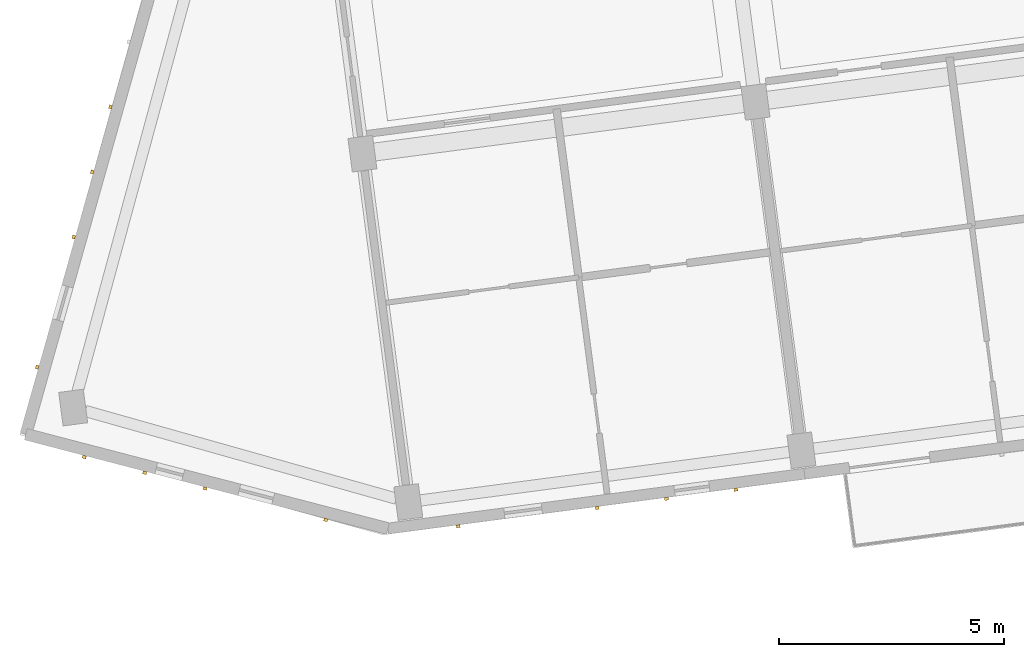
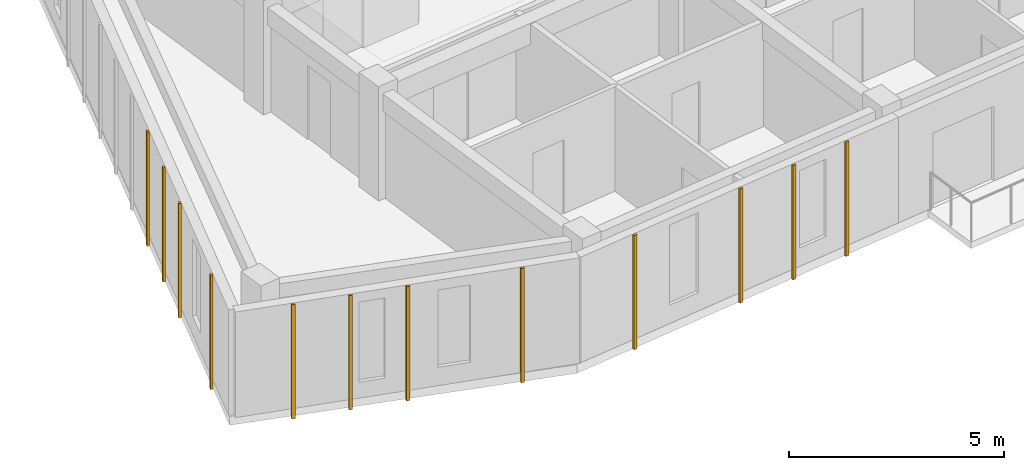
# One storey, part 43 of 68: 12 coverings.
"""IFC4 building model written with IfcOpenShell, lengths in metres."""

import ifcopenshell
import ifcopenshell.guid

model = None  # the IFC model being written
_history = None  # IfcOwnerHistory: only IFC2X3 demands one
_inside = {}  # id of a spatial element -> (the spatial element, [elements in it])
_under = {}  # id of a project, library or spatial element -> (it, [spatial elements below it])
_declared = {}  # id of a project -> (the project, [libraries it declares])
_typed = {}  # id of a type object -> (the type object, [elements of that type])
_made_of = {}  # id of a material, layer set ... -> (it, [elements and type objects made of it])


def new_model(schema):
    """Start an empty IFC model of exactly this schema.

    Asked for "IFC4X3", IfcOpenShell would pick the latest addendum, in which some entities
    have other attributes; the version numbers below select the first issue.
    IFC2X3 requires an IfcOwnerHistory on every rooted entity: one is made here for all.
    """
    global model, _history
    if schema == "IFC4X3":
        model = ifcopenshell.file(schema_version=(4, 3, 0, 0))
    else:
        model = ifcopenshell.file(schema=schema)
    _inside.clear()
    _under.clear()
    _declared.clear()
    _typed.clear()
    _made_of.clear()
    _history = None
    if model.schema == "IFC2X3":
        org = make("IfcOrganization", Name="unknown")
        user = make(
            "IfcPersonAndOrganization",
            ThePerson=make("IfcPerson", FamilyName="unknown"),
            TheOrganization=org,
        )
        app = make(
            "IfcApplication",
            ApplicationDeveloper=org,
            Version="unknown",
            ApplicationFullName="unknown",
            ApplicationIdentifier="unknown",
        )
        _history = make(
            "IfcOwnerHistory",
            OwningUser=user,
            OwningApplication=app,
            ChangeAction="ADDED",
            CreationDate=0,
        )
    return model


def make(cls, **values):
    """One entity of the class cls with the attributes given. An attribute that is None is left unset."""
    return model.create_entity(
        cls, **{name: value for name, value in values.items() if value is not None}
    )


def rooted(cls, **values):
    """An entity with a GlobalId (a new one), such as an element, a storey or a relation."""
    return make(cls, GlobalId=ifcopenshell.guid.new(), OwnerHistory=_history, **values)


def si_unit(unit_type, name, prefix=None):
    """IfcSIUnit, for example si_unit("LENGTHUNIT", "METRE", prefix="MILLI")."""
    return make("IfcSIUnit", UnitType=unit_type, Prefix=prefix, Name=name)


def assignment(units):
    """IfcUnitAssignment: the units of a project."""
    return None if units is None else make("IfcUnitAssignment", Units=units)


def point(xyz):
    """IfcCartesianPoint."""
    return None if xyz is None else make("IfcCartesianPoint", Coordinates=xyz)


def direction(xyz):
    """IfcDirection."""
    return None if xyz is None else make("IfcDirection", DirectionRatios=xyz)


def frame(location, z_axis=None, x_axis=None):
    """IfcAxis2Placement3D, a coordinate frame: its origin and axes. An axis left out is left unset."""
    return make(
        "IfcAxis2Placement3D",
        Location=point(location),
        Axis=direction(z_axis),
        RefDirection=direction(x_axis),
    )


def frame_2d(location, x_axis=None):
    """IfcAxis2Placement2D, a coordinate frame in the plane: its origin and x axis."""
    return make(
        "IfcAxis2Placement2D", Location=point(location), RefDirection=direction(x_axis)
    )


def origin():
    """The frame at (0, 0, 0) with its axes left unset."""
    return frame((0.0, 0.0, 0.0))


def origin_2d():
    """The frame at (0, 0) in the plane with its x axis left unset."""
    return frame_2d((0.0, 0.0))


def place(relative_to, where):
    """IfcLocalPlacement: puts the frame where relative to a parent placement (None: the world)."""
    return make(
        "IfcLocalPlacement", PlacementRelTo=relative_to, RelativePlacement=where
    )


def context(
    kind, dimensions, precision=None, world=None, true_north=None, identifier=None
):
    """IfcGeometricRepresentationContext, for example the 3D "Model" context."""
    return make(
        "IfcGeometricRepresentationContext",
        ContextIdentifier=identifier,
        ContextType=kind,
        CoordinateSpaceDimension=dimensions,
        Precision=precision,
        WorldCoordinateSystem=world,
        TrueNorth=true_north,
    )


def subcontext(parent, identifier, kind, view, scale=None):
    """IfcGeometricRepresentationSubContext, for example "Body" below "Model"."""
    return make(
        "IfcGeometricRepresentationSubContext",
        ContextIdentifier=identifier,
        ContextType=kind,
        ParentContext=parent,
        TargetScale=scale,
        TargetView=view,
    )


def project(units=None, contexts=None):
    """IfcProject with its units and contexts."""
    return rooted(
        "IfcProject",
        Name="project",
        RepresentationContexts=contexts,
        UnitsInContext=assignment(units),
    )


def spatial(cls, under=None, at=None, **own):
    """A site, building, storey or space (cls), placed at a placement, below another one or the project."""
    s = rooted(cls, ObjectPlacement=at, **own)
    if under is not None:
        _under.setdefault(under.id(), (under, []))[1].append(s)
    return s


def profile(cls, at=None, kind="AREA", **sizes):
    """A parametric profile (cls). Its sizes go by their IFC names, for example OverallWidth=200.0."""
    return make(cls, ProfileType=kind, Position=at, **sizes)


def rectangle(**sizes):
    """IfcRectangleProfileDef."""
    return profile("IfcRectangleProfileDef", **sizes)


def extrude(swept, where, along, depth):
    """IfcExtrudedAreaSolid: the profile swept, set in the frame where, extruded along a direction by depth."""
    return make(
        "IfcExtrudedAreaSolid",
        SweptArea=swept,
        Position=where,
        ExtrudedDirection=direction(along),
        Depth=depth,
    )


def shape(context_of_items, identifier, shape_type, items):
    """IfcShapeRepresentation: the items that make up one representation, for example the "Body"."""
    return make(
        "IfcShapeRepresentation",
        ContextOfItems=context_of_items,
        RepresentationIdentifier=identifier,
        RepresentationType=shape_type,
        Items=items,
    )


def material(Name=None, Category=None):
    """IfcMaterial."""
    return make("IfcMaterial", Name=Name, Category=Category)


def layer(
    of_material, thickness, ventilated=None, Name=None, Category=None, Priority=None
):
    """IfcMaterialLayer: one layer of a wall or slab, of a material (None: an air gap)."""
    return make(
        "IfcMaterialLayer",
        Material=of_material,
        LayerThickness=thickness,
        IsVentilated=ventilated,
        Name=Name,
        Category=Category,
        Priority=Priority,
    )


def layer_set(layers, Name=None):
    """IfcMaterialLayerSet."""
    return make("IfcMaterialLayerSet", MaterialLayers=layers, LayerSetName=Name)


def made_of(thing, what):
    """Note that an element or type object is made of a material, layer set ...; save() writes the relation."""
    if what is not None:
        _made_of.setdefault(what.id(), (what, []))[1].append(thing)
    return thing


def type_object(cls, material=None, **own):
    """A type object (cls), such as IfcWallType, which elements share."""
    return made_of(rooted(cls, **own), material)


def element(
    cls,
    number,
    at=None,
    inside=None,
    cuts=None,
    type_object=None,
    material=None,
    context=None,
    identifier="Body",
    shape_type=None,
    held_by="IfcProductDefinitionShape",
    body=None,
    shapes=None,
    **own,
):
    """One element of the class cls, such as IfcWall. Its Tag is "e" and its number.

    at: its placement. inside: the storey or other place that contains it. cuts: it is an
    opening in that element (IfcRelVoidsElement). A single representation is given by context,
    identifier, shape_type and body (its items); several are given by shapes. held_by: the class
    of the entity that holds the representations. save() writes the other relations.
    """
    e = rooted(cls, Tag="e%d" % number, ObjectPlacement=at, **own)
    if body is not None:
        shapes = [shape(context, identifier, shape_type, body)]
    if shapes is not None:
        e.Representation = make(held_by, Representations=shapes)
    if inside is not None:
        _inside.setdefault(inside.id(), (inside, []))[1].append(e)
    if cuts is not None:
        rooted(
            "IfcRelVoidsElement", RelatingBuildingElement=cuts, RelatedOpeningElement=e
        )
    if type_object is not None:
        _typed.setdefault(type_object.id(), (type_object, []))[1].append(e)
    return made_of(e, material)


def aggregate(whole, parts):
    """IfcRelAggregates: a whole, such as a stair, and the parts it consists of."""
    return rooted("IfcRelAggregates", RelatingObject=whole, RelatedObjects=parts)


def save(model, path):
    """Write the relations noted so far, then the file.

    IfcRelAggregates (storeys below a building ...), IfcRelContainedInSpatialStructure (elements
    in a storey), IfcRelDefinesByType, IfcRelAssociatesMaterial and IfcRelDeclares: one each for
    every whole, place, type object, material and project.
    """
    for whole, parts in _under.values():
        aggregate(whole, parts)
    for where, things in _inside.values():
        rooted(
            "IfcRelContainedInSpatialStructure",
            RelatedElements=things,
            RelatingStructure=where,
        )
    for kind, things in _typed.values():
        rooted("IfcRelDefinesByType", RelatedObjects=things, RelatingType=kind)
    for what, things in _made_of.values():
        rooted("IfcRelAssociatesMaterial", RelatedObjects=things, RelatingMaterial=what)
    for by, libraries in _declared.values():
        rooted("IfcRelDeclares", RelatingContext=by, RelatedDefinitions=libraries)
    model.write(path)


model = new_model("IFC4")

# Units and contexts
model_context = context("Model", 3, precision=1e-05, world=origin(), true_north=direction((0.0, 1.0)))
body_context = subcontext(model_context, "Body", "Model", "MODEL_VIEW")
ifc_project = project(units=[si_unit("LENGTHUNIT", "METRE"), si_unit("AREAUNIT", "SQUARE_METRE"), si_unit("VOLUMEUNIT", "CUBIC_METRE"), si_unit("PLANEANGLEUNIT", "RADIAN"), si_unit("MASSUNIT", "GRAM", prefix="KILO")], contexts=[model_context])

# Site, building, storey
site_placement = place(None, origin())
site = spatial("IfcSite", under=ifc_project, at=site_placement, CompositionType="ELEMENT")
building_placement = place(site_placement, origin())
building = spatial("IfcBuilding", under=site, at=building_placement, Name="Kestramere Prow Commons", CompositionType="ELEMENT")
storey_placement = place(building_placement, frame((0.0, 0.0, 18.14990234375)))
storey = spatial("IfcBuildingStorey", under=building, at=storey_placement, Name="L05", CompositionType="ELEMENT", Elevation=18.14990234375)

# Coverings
ifc_material = material(Name="Weathered Zinc-Titanium Standing-Seam Cladding")
ifc_layer = layer(ifc_material, 0.074951171875)
ifc_layer_set = layer_set([ifc_layer], Name="Weathered Zinc-Titanium Standing-Seam Cladding")
covering_type = type_object("IfcCoveringType", Name="COV-CLAD-SEAM", PredefinedType="CLADDING", material=ifc_layer_set)
for number, where, z_axis, x_axis, name in (
    (1, (18.47216796875, 72.274169921875, -0.25), (0.0, 0.0, 1.0), (-0.991444861374, -0.13052619222, 0.0), "EW-A-L05-S-0 Standing-Seam Rib 1"),
    (2, (16.931396484375, 72.0712890625, -0.25), (0.0, 0.0, 1.0), (-0.991444861374, -0.13052619222, 0.0), "EW-A-L05-S-0 Standing-Seam Rib 2"),
    (3, (15.390625, 71.868408203125, -0.25), (0.0, 0.0, 1.0), (-0.991444861374, -0.13052619222, 0.0), "EW-A-L05-S-0 Standing-Seam Rib 3"),
    (4, (12.308837890625, 71.462646484375, -0.25), (0.0, 0.0, 1.0), (-0.991444861374, -0.13052619222, 0.0), "EW-A-L05-S-0 Standing-Seam Rib 5"),
    (5, (9.367431640625, 71.602783203125, -0.25), (0.0, 0.0, 1.0), (-0.96769817096, 0.252111582281, 0.0), "EW-A-L05-PRW-S Standing-Seam Rib 1"),
    (6, (6.6884765625, 72.300537109375, -0.25), (0.0, 0.0, 1.0), (-0.96769817096, 0.252111582281, 0.0), "EW-A-L05-PRW-S Standing-Seam Rib 3"),
    (7, (5.34912109375, 72.649658203125, -0.25), (0.0, 0.0, 1.0), (-0.96769817096, 0.252111582281, 0.0), "EW-A-L05-PRW-S Standing-Seam Rib 4"),
    (8, (4.009521484375, 72.99853515625, -0.25), (0.0, 0.0, 1.0), (-0.96769817096, 0.252111582281, 0.0), "EW-A-L05-PRW-S Standing-Seam Rib 5"),
    (9, (2.96142578125, 74.9931640625, -0.25), (0.0, 0.0, 1.0), (0.271159911526, 0.962534312314, 0.0), "EW-A-L05-PRW-N Standing-Seam Rib 1"),
    (10, (3.775146484375, 77.8818359375, -0.25), (0.0, 0.0, 1.0), (0.271159911526, 0.962534312314, 0.0), "EW-A-L05-PRW-N Standing-Seam Rib 3"),
    (11, (4.18212890625, 79.326171875, -0.25), (0.0, 0.0, 1.0), (0.271159911526, 0.962534312314, 0.0), "EW-A-L05-PRW-N Standing-Seam Rib 4"),
    (12, (4.5888671875, 80.7705078125, -0.25), (0.0, 0.0, 1.0), (0.271159911526, 0.962534312314, 0.0), "EW-A-L05-PRW-N Standing-Seam Rib 5"),
):
    element("IfcCovering", number, at=place(storey_placement, frame(where, z_axis=z_axis, x_axis=x_axis)), inside=storey, type_object=covering_type, Name=name, PredefinedType="CLADDING", context=body_context, shape_type="SweptSolid", body=[
        extrude(rectangle(XDim=0.0849609375, YDim=0.06494140625, at=origin_2d()), origin(), (0.0, 0.0, 1.0), 3.25),
    ])

save(model, "model.ifc")
